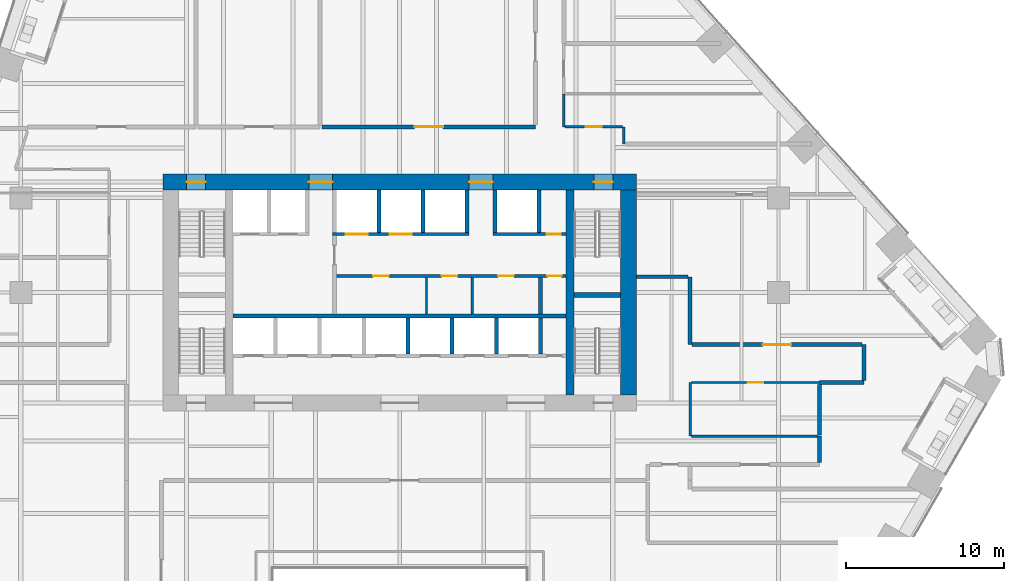
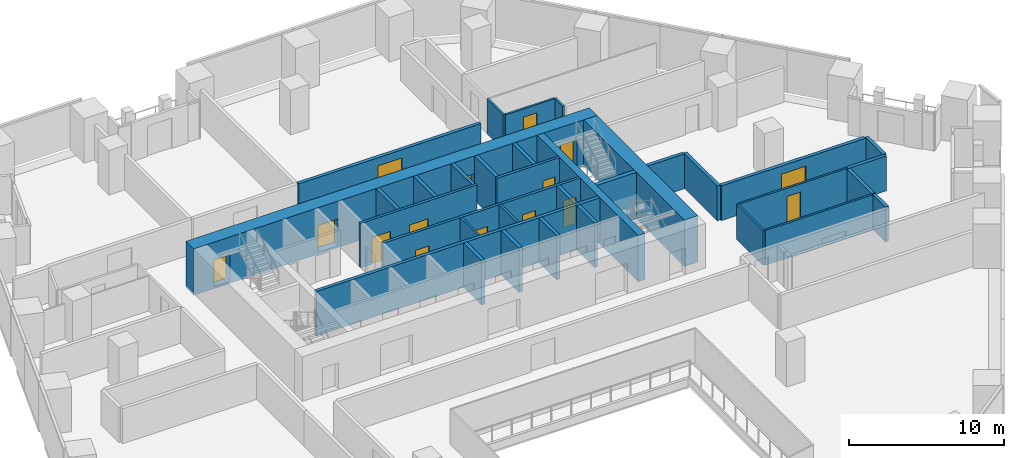
# One storey, part 22 of 28: 34 walls, 15 doors, 15 openings.
"""IFC4 building model written with IfcOpenShell, lengths in metres."""

from ifc_helpers import new_model, si_unit, direction, frame, frame_2d, origin, place, context, subcontext, project, spatial, rectangle, extrude, material, layer, layer_set, type_object, element, fill, save


model = new_model("IFC4")

# Units and contexts
model_context = context("Model", 3, precision=1e-05, world=origin(), true_north=direction((0.0, 1.0)))
body_context = subcontext(model_context, "Body", "Model", "MODEL_VIEW")
ifc_project = project(units=[si_unit("LENGTHUNIT", "METRE"), si_unit("AREAUNIT", "SQUARE_METRE"), si_unit("VOLUMEUNIT", "CUBIC_METRE"), si_unit("PLANEANGLEUNIT", "RADIAN"), si_unit("MASSUNIT", "GRAM", prefix="KILO")], contexts=[model_context])

# Site, building, storey
site_placement = place(None, origin())
site = spatial("IfcSite", under=ifc_project, at=site_placement, CompositionType="ELEMENT")
building_placement = place(site_placement, origin())
building = spatial("IfcBuilding", under=site, at=building_placement, Name="Isthmus Gate Tower", CompositionType="ELEMENT")
storey_placement = place(building_placement, frame((0.0, 0.0, 68.85009765625)))
storey = spatial("IfcBuildingStorey", under=building, at=storey_placement, Name="L15", CompositionType="ELEMENT", Elevation=68.85009765625)

# Walls
ifc_material_1 = material(Name="Double-leaf acoustic stud wall, fire-rated", Category="gypsum")
ifc_layer_1 = layer(ifc_material_1, 0.25)
ifc_layer_set_1 = layer_set([ifc_layer_1], Name="ACOUSTIC WALL 250 60 MIN")
wall_type_1 = type_object("IfcWallType", Name="ACOUSTIC WALL 250 60 MIN", PredefinedType="PARTITIONING", material=ifc_layer_set_1)
wall_1_placement = place(storey_placement, frame((18.39990234375, 8.5, 0.0), z_axis=(0.0, 0.0, 1.0), x_axis=(0.0, -1.0, 0.0)))
element("IfcWall", 1, at=wall_1_placement, inside=storey, type_object=wall_type_1, Name="L15 Acoustic Wall 250 60 Min", PredefinedType="PARTITIONING", context=body_context, shape_type="SweptSolid", body=[
    extrude(rectangle(XDim=4.300048828125, YDim=0.25, at=frame_2d((2.14990234375, 0.0))), origin(), (0.0, 0.0, 1.0), 2.7412109375),
])
wall_2_placement = place(storey_placement, frame((26.590087890625, -1.60009765625, 0.0), z_axis=(0.0, 0.0, 1.0), x_axis=(0.0, -1.0, 0.0)))
element("IfcWall", 2, at=wall_2_placement, inside=storey, type_object=wall_type_1, Name="L15 Acoustic Wall 250 60 Min", PredefinedType="PARTITIONING", context=body_context, shape_type="SweptSolid", body=[
    extrude(rectangle(XDim=1.6748046875, YDim=0.25, at=frame_2d((0.83740234375, 0.0))), origin(), (0.0, 0.0, 1.0), 2.7412109375),
])
wall_3_placement = place(storey_placement, frame((29.39990234375, 1.800048828125, 0.0), z_axis=(0.0, 0.0, 1.0), x_axis=(-1.0, 0.0, 0.0)))
element("IfcWall", 3, at=wall_3_placement, inside=storey, type_object=wall_type_1, Name="L15 Acoustic Wall 250 60 Min", PredefinedType="PARTITIONING", context=body_context, shape_type="SweptSolid", body=[
    extrude(rectangle(XDim=2.807861328125, YDim=0.25, at=frame_2d((1.40380859375, 0.0))), origin(), (0.0, 0.0, 1.0), 2.7412109375),
])
wall_4_placement = place(storey_placement, frame((29.39990234375, 4.199951171875, 0.0), z_axis=(0.0, 0.0, 1.0), x_axis=(0.0, -1.0, 0.0)))
element("IfcWall", 4, at=wall_4_placement, inside=storey, type_object=wall_type_1, Name="L15 Acoustic Wall 250 60 Min", PredefinedType="PARTITIONING", context=body_context, shape_type="SweptSolid", body=[
    extrude(rectangle(XDim=2.27490234375, YDim=0.25, at=frame_2d((1.137451171875, 0.0))), origin(), (0.0, 0.0, 1.0), 2.7412109375),
])

# Wall, opening, door
wall_5_placement = place(storey_placement, frame((-4.912109375, 18.0, 0.0), z_axis=(0.0, 0.0, 1.0), x_axis=(1.0, 0.0, 0.0)))
wall_5 = element("IfcWall", 5, at=wall_5_placement, inside=storey, type_object=wall_type_1, Name="L15 Acoustic Wall 250 60 Min", PredefinedType="PARTITIONING", context=body_context, shape_type="SweptSolid", body=[
    extrude(rectangle(XDim=13.51220703125, YDim=0.25, at=frame_2d((6.756103515625, 0.0))), origin(), (0.0, 0.0, 1.0), 2.7412109375),
])
opening_1_placement = place(wall_5_placement, frame((5.85595703125, 0.0, 0.0)))
opening_1 = element("IfcOpeningElement", 6, at=opening_1_placement, cuts=wall_5, Name="Opening DT-T1D-03", PredefinedType="OPENING", context=body_context, shape_type="SweptSolid", body=[
    extrude(rectangle(XDim=1.800048828125, YDim=2.10009765625, at=frame_2d((0.89990234375, 1.050048828125))), frame((0.0, 0.135009765625, 0.0), z_axis=(0.0, -1.0, 0.0), x_axis=(1.0, 0.0, 0.0)), (0.0, 0.0, 1.0), 0.27001953125),
])
ifc_material_2 = material(Name="Solid core timber door leaf, fire-rated", Category="wood")
door_type_1 = type_object("IfcDoorType", Name="FIRE DOOR ACOUSTIC ROOM 1800 X 2100 60 MIN", OperationType="DOUBLE_DOOR_DOUBLE_SWING", PredefinedType="DOOR", material=ifc_material_2)
door_1_placement = place(opening_1_placement, origin())
door_1 = element("IfcDoor", 7, at=door_1_placement, inside=storey, type_object=door_type_1, Name="L15 room door", OperationType="DOUBLE_DOOR_DOUBLE_SWING", OverallHeight=2.10009765625, OverallWidth=1.800048828125, PredefinedType="DOOR", context=body_context, shape_type="SweptSolid", body=[
    extrude(rectangle(XDim=1.800048828125, YDim=2.10009765625, at=frame_2d((0.89990234375, 1.050048828125))), frame((0.0, 0.02490234375, 0.0), z_axis=(0.0, -1.0, 0.0), x_axis=(1.0, 0.0, 0.0)), (0.0, 0.0, 1.0), 0.050048828125),
])
fill(opening_1, door_1)

# Wall
wall_6_placement = place(storey_placement, frame((15.0, 8.5, 0.0), z_axis=(0.0, 0.0, 1.0), x_axis=(1.0, 0.0, 0.0)))
element("IfcWall", 8, at=wall_6_placement, inside=storey, type_object=wall_type_1, Name="L15 Acoustic Wall 250 60 Min", PredefinedType="PARTITIONING", context=body_context, shape_type="SweptSolid", body=[
    extrude(rectangle(XDim=3.27490234375, YDim=0.25, at=frame_2d((1.637451171875, 0.0))), origin(), (0.0, 0.0, 1.0), 2.7412109375),
])

# Wall, opening, door
wall_7_placement = place(storey_placement, frame((18.52490234375, 4.199951171875, 0.0), z_axis=(0.0, 0.0, 1.0), x_axis=(1.0, 0.0, 0.0)))
wall_7 = element("IfcWall", 9, at=wall_7_placement, inside=storey, type_object=wall_type_1, Name="L15 Acoustic Wall 250 60 Min", PredefinedType="PARTITIONING", context=body_context, shape_type="SweptSolid", body=[
    extrude(rectangle(XDim=10.75, YDim=0.25, at=frame_2d((5.375, 0.0))), origin(), (0.0, 0.0, 1.0), 2.7412109375),
])
opening_2_placement = place(wall_7_placement, frame((4.47509765625, 0.0, 0.0)))
opening_2 = element("IfcOpeningElement", 10, at=opening_2_placement, cuts=wall_7, Name="Opening DT-T1D-10", PredefinedType="OPENING", context=body_context, shape_type="SweptSolid", body=[
    extrude(rectangle(XDim=1.800048828125, YDim=2.10009765625, at=frame_2d((0.89990234375, 1.050048828125))), frame((0.0, 0.135009765625, 0.0), z_axis=(0.0, -1.0, 0.0), x_axis=(1.0, 0.0, 0.0)), (0.0, 0.0, 1.0), 0.27001953125),
])
door_2_placement = place(opening_2_placement, origin())
door_2 = element("IfcDoor", 11, at=door_2_placement, inside=storey, type_object=door_type_1, Name="L15 room door", OperationType="DOUBLE_DOOR_DOUBLE_SWING", OverallHeight=2.10009765625, OverallWidth=1.800048828125, PredefinedType="DOOR", context=body_context, shape_type="SweptSolid", body=[
    extrude(rectangle(XDim=1.800048828125, YDim=2.10009765625, at=frame_2d((0.89990234375, 1.050048828125))), frame((0.0, 0.02490234375, 0.0), z_axis=(0.0, -1.0, 0.0), x_axis=(1.0, 0.0, 0.0)), (0.0, 0.0, 1.0), 0.050048828125),
])
fill(opening_2, door_2)

# Walls
wall_8_placement = place(storey_placement, frame((26.590087890625, -1.52490234375, 0.0), z_axis=(0.0, 0.0, 1.0), x_axis=(0.00053406569, 0.999999857387, 0.0)))
element("IfcWall", 12, at=wall_8_placement, inside=storey, type_object=wall_type_1, Name="L15 Acoustic Wall 250 60 Min", PredefinedType="PARTITIONING", context=body_context, shape_type="SweptSolid", body=[
    extrude(rectangle(XDim=3.199951171875, YDim=0.25, at=frame_2d((1.60009765625, 0.0))), origin(), (0.0, 0.0, 1.0), 2.7412109375),
])
ifc_material_3 = material(Name="Gypsum board on steel studs, fire-rated", Category="steel")
ifc_layer_2 = layer(ifc_material_3, 0.14990234375)
ifc_layer_set_2 = layer_set([ifc_layer_2], Name="CORRIDOR WALL 150 60 MIN")
wall_type_2 = type_object("IfcWallType", Name="CORRIDOR WALL 150 60 MIN", PredefinedType="PARTITIONING", material=ifc_layer_set_2)
wall_9_placement = place(storey_placement, frame((10.39990234375, 20.092041015625, 0.0), z_axis=(0.0, 0.0, 1.0), x_axis=(0.0, -1.0, 0.0)))
element("IfcWall", 13, at=wall_9_placement, inside=storey, type_object=wall_type_2, Name="L15 Corridor Wall 150 60 Min", PredefinedType="PARTITIONING", context=body_context, shape_type="SweptSolid", body=[
    extrude(rectangle(XDim=2.092041015625, YDim=0.14990234375, at=frame_2d((1.0458984375, 0.0))), origin(), (0.0, 0.0, 1.0), 2.7412109375),
])
wall_10_placement = place(storey_placement, frame((14.199951171875, 18.0, 0.0), z_axis=(0.0, 0.0, 1.0), x_axis=(0.0, -1.0, 0.0)))
element("IfcWall", 14, at=wall_10_placement, inside=storey, type_object=wall_type_2, Name="L15 Corridor Wall 150 60 Min", PredefinedType="PARTITIONING", context=body_context, shape_type="SweptSolid", body=[
    extrude(rectangle(XDim=1.10009765625, YDim=0.14990234375, at=frame_2d((0.550048828125, 0.0))), origin(), (0.0, 0.0, 1.0), 2.7412109375),
])
wall_11_placement = place(storey_placement, frame((18.39990234375, 1.800048828125, 0.0), z_axis=(0.0, 0.0, 1.0), x_axis=(0.0, -1.0, 0.0)))
element("IfcWall", 15, at=wall_11_placement, inside=storey, type_object=wall_type_2, Name="L15 Corridor Wall 150 60 Min", PredefinedType="PARTITIONING", context=body_context, shape_type="SweptSolid", body=[
    extrude(rectangle(XDim=3.400146484375, YDim=0.14990234375, at=frame_2d((1.7001953125, 0.0))), origin(), (0.0, 0.0, 1.0), 2.7412109375),
])

# Wall, opening, door
wall_12_placement = place(storey_placement, frame((26.592041015625, 1.800048828125, 0.0), z_axis=(0.0, 0.0, 1.0), x_axis=(-1.0, 0.0, 0.0)))
wall_12 = element("IfcWall", 16, at=wall_12_placement, inside=storey, type_object=wall_type_2, Name="L15 Corridor Wall 150 60 Min", PredefinedType="PARTITIONING", context=body_context, shape_type="SweptSolid", body=[
    extrude(rectangle(XDim=8.116943359375, YDim=0.14990234375, at=frame_2d((4.05859375, 0.0))), origin(), (0.0, 0.0, 1.0), 2.7412109375),
])
opening_3_placement = place(wall_12_placement, frame((3.55859375, 0.0, 0.0)))
opening_3 = element("IfcOpeningElement", 17, at=opening_3_placement, cuts=wall_12, Name="Opening DT-T1D-12", PredefinedType="OPENING", context=body_context, shape_type="SweptSolid", body=[
    extrude(rectangle(XDim=1.0, YDim=2.10009765625, at=frame_2d((0.5, 1.050048828125))), frame((0.0, 0.0849609375, 0.0), z_axis=(0.0, -1.0, 0.0), x_axis=(1.0, 0.0, 0.0)), (0.0, 0.0, 1.0), 0.169921875),
])
ifc_material_4 = material(Name="Solid core timber door leaf, fire-rated", Category="wood")
door_type_2 = type_object("IfcDoorType", Name="FIRE DOOR ROOM 1000 X 2100 60 MIN", OperationType="SINGLE_SWING_LEFT", PredefinedType="DOOR", material=ifc_material_4)
door_3_placement = place(opening_3_placement, origin())
door_3 = element("IfcDoor", 18, at=door_3_placement, inside=storey, type_object=door_type_2, Name="L15 room door", OperationType="SINGLE_SWING_RIGHT", OverallHeight=2.10009765625, OverallWidth=1.0, PredefinedType="DOOR", context=body_context, shape_type="SweptSolid", body=[
    extrude(rectangle(XDim=1.0, YDim=2.10009765625, at=frame_2d((0.5, 1.050048828125))), frame((0.0, 0.02490234375, 0.0), z_axis=(0.0, -1.0, 0.0), x_axis=(1.0, 0.0, 0.0)), (0.0, 0.0, 1.0), 0.050048828125),
])
fill(opening_3, door_3)

wall_13_placement = place(storey_placement, frame((10.47509765625, 18.0, 0.0), z_axis=(0.0, 0.0, 1.0), x_axis=(1.0, 0.0, 0.0)))
wall_13 = element("IfcWall", 19, at=wall_13_placement, inside=storey, type_object=wall_type_2, Name="L15 Corridor Wall 150 60 Min", PredefinedType="PARTITIONING", context=body_context, shape_type="SweptSolid", body=[
    extrude(rectangle(XDim=3.64990234375, YDim=0.14990234375, at=frame_2d((1.824951171875, 0.0))), origin(), (0.0, 0.0, 1.0), 2.7412109375),
])
opening_4_placement = place(wall_13_placement, frame((1.324951171875, 0.0, 0.0)))
opening_4 = element("IfcOpeningElement", 20, at=opening_4_placement, cuts=wall_13, Name="Opening DT-T1D-07", PredefinedType="OPENING", context=body_context, shape_type="SweptSolid", body=[
    extrude(rectangle(XDim=1.0, YDim=2.10009765625, at=frame_2d((0.5, 1.050048828125))), frame((0.0, 0.0849609375, 0.0), z_axis=(0.0, -1.0, 0.0), x_axis=(1.0, 0.0, 0.0)), (0.0, 0.0, 1.0), 0.169921875),
])
door_4_placement = place(opening_4_placement, origin())
door_4 = element("IfcDoor", 21, at=door_4_placement, inside=storey, type_object=door_type_2, Name="L15 room door", OperationType="SINGLE_SWING_RIGHT", OverallHeight=2.10009765625, OverallWidth=1.0, PredefinedType="DOOR", context=body_context, shape_type="SweptSolid", body=[
    extrude(rectangle(XDim=1.0, YDim=2.10009765625, at=frame_2d((0.5, 1.050048828125))), frame((0.0, 0.02490234375, 0.0), z_axis=(0.0, -1.0, 0.0), x_axis=(1.0, 0.0, 0.0)), (0.0, 0.0, 1.0), 0.050048828125),
])
fill(opening_4, door_4)

# Walls
wall_14_placement = place(storey_placement, frame((18.47509765625, -1.60009765625, 0.0), z_axis=(0.0, 0.0, 1.0), x_axis=(1.0, 0.0, 0.0)))
element("IfcWall", 22, at=wall_14_placement, inside=storey, type_object=wall_type_2, Name="L15 Corridor Wall 150 60 Min", PredefinedType="PARTITIONING", context=body_context, shape_type="SweptSolid", body=[
    extrude(rectangle(XDim=7.989990234375, YDim=0.14990234375, at=frame_2d((3.9951171875, 0.0))), origin(), (0.0, 0.0, 1.0), 2.7412109375),
])
ifc_material_5 = material(Name="Concrete f'c 70 MPa", Category="concrete")
ifc_layer_3 = layer(ifc_material_5, 0.5)
ifc_layer_set_3 = layer_set([ifc_layer_3], Name="RC CORE SPINE WALL 500 F'C 70")
wall_type_3 = type_object("IfcWallType", Name="RC CORE SPINE WALL 500 F'C 70", PredefinedType="SOLIDWALL", material=ifc_layer_set_3)
wall_15_placement = place(storey_placement, frame((10.800048828125, 1.0, -0.150146484375), z_axis=(0.0, 0.0, 1.0), x_axis=(0.0, 1.0, 0.0)))
element("IfcWall", 23, at=wall_15_placement, inside=storey, type_object=wall_type_3, Name="str-corewall-L15-SPE", PredefinedType="SOLIDWALL", context=body_context, shape_type="SweptSolid", body=[
    extrude(rectangle(XDim=13.0, YDim=0.5, at=frame_2d((6.5, 0.0))), origin(), (0.0, 0.0, 1.0), 3.650146484375),
])

# Wall, openings, doors
ifc_material_6 = material(Name="Concrete f'c 70 MPa", Category="concrete")
ifc_layer_4 = layer(ifc_material_6, 1.0)
ifc_layer_set_4 = layer_set([ifc_layer_4], Name="RC CORE WALL 1000 F'C 70")
wall_type_4 = type_object("IfcWallType", Name="RC CORE WALL 1000 F'C 70", PredefinedType="SOLIDWALL", material=ifc_layer_set_4)
wall_16_placement = place(storey_placement, frame((-15.0, 14.5, -0.150146484375), z_axis=(0.0, 0.0, 1.0), x_axis=(1.0, 0.0, 0.0)))
wall_16 = element("IfcWall", 24, at=wall_16_placement, inside=storey, type_object=wall_type_4, Name="str-corewall-L15-N", PredefinedType="SOLIDWALL", context=body_context, shape_type="SweptSolid", body=[
    extrude(rectangle(XDim=30.0, YDim=1.0, at=frame_2d((15.0, 0.0))), origin(), (0.0, 0.0, 1.0), 3.650146484375),
])
opening_5_placement = place(wall_16_placement, frame((9.25, 0.0, 0.14990234375)))
opening_5 = element("IfcOpeningElement", 25, at=opening_5_placement, cuts=wall_16, Name="Opening DC-A04-11", PredefinedType="OPENING", context=body_context, shape_type="SweptSolid", body=[
    extrude(rectangle(XDim=1.5, YDim=2.10009765625, at=frame_2d((0.75, 1.050048828125))), frame((0.0, 0.510009765625, 0.0), z_axis=(0.0, -1.0, 0.0), x_axis=(1.0, 0.0, 0.0)), (0.0, 0.0, 1.0), 1.02001953125),
])
opening_6_placement = place(wall_16_placement, frame((19.39990234375, 0.0, 0.14990234375)))
opening_6 = element("IfcOpeningElement", 26, at=opening_6_placement, cuts=wall_16, Name="Opening DC-A04-12", PredefinedType="OPENING", context=body_context, shape_type="SweptSolid", body=[
    extrude(rectangle(XDim=1.5, YDim=2.10009765625, at=frame_2d((0.75, 1.050048828125))), frame((0.0, 0.510009765625, 0.0), z_axis=(0.0, -1.0, 0.0), x_axis=(1.0, 0.0, 0.0)), (0.0, 0.0, 1.0), 1.02001953125),
])
opening_7_placement = place(wall_16_placement, frame((1.5, 0.0, 0.14990234375)))
opening_7 = element("IfcOpeningElement", 27, at=opening_7_placement, cuts=wall_16, Name="Opening DC-A04-13", PredefinedType="OPENING", context=body_context, shape_type="SweptSolid", body=[
    extrude(rectangle(XDim=1.199951171875, YDim=2.10009765625, at=frame_2d((0.60009765625, 1.050048828125))), frame((0.0, 0.510009765625, 0.0), z_axis=(0.0, -1.0, 0.0), x_axis=(1.0, 0.0, 0.0)), (0.0, 0.0, 1.0), 1.02001953125),
])
opening_8_placement = place(wall_16_placement, frame((27.300048828125, 0.0, 0.14990234375)))
opening_8 = element("IfcOpeningElement", 28, at=opening_8_placement, cuts=wall_16, Name="Opening DC-A04-14", PredefinedType="OPENING", context=body_context, shape_type="SweptSolid", body=[
    extrude(rectangle(XDim=1.199951171875, YDim=2.10009765625, at=frame_2d((0.60009765625, 1.050048828125))), frame((0.0, 0.510009765625, 0.0), z_axis=(0.0, -1.0, 0.0), x_axis=(1.0, 0.0, 0.0)), (0.0, 0.0, 1.0), 1.02001953125),
])
ifc_material_7 = material(Name="Steel door leaf, fire-rated", Category="steel")
door_type_3 = type_object("IfcDoorType", Name="LOBBY FIRE DOOR 1500 X 2100 60 MIN", OperationType="DOUBLE_DOOR_SINGLE_SWING", PredefinedType="DOOR", material=ifc_material_7)
door_5_placement = place(opening_6_placement, origin())
door_5 = element("IfcDoor", 29, at=door_5_placement, inside=storey, type_object=door_type_3, Name="Lobby Door PN-E", OperationType="DOUBLE_DOOR_SINGLE_SWING", OverallHeight=2.10009765625, OverallWidth=1.5, PredefinedType="DOOR", context=body_context, shape_type="SweptSolid", body=[
    extrude(rectangle(XDim=1.5, YDim=2.10009765625, at=frame_2d((0.75, 1.050048828125))), frame((0.0, 0.02490234375, 0.0), z_axis=(0.0, -1.0, 0.0), x_axis=(1.0, 0.0, 0.0)), (0.0, 0.0, 1.0), 0.050048828125),
])
fill(opening_6, door_5)
ifc_material_8 = material(Name="Steel door leaf, fire-rated", Category="steel")
door_type_4 = type_object("IfcDoorType", Name="LOBBY FIRE DOOR 1500 X 2100 90 MIN", OperationType="DOUBLE_DOOR_SINGLE_SWING", PredefinedType="DOOR", material=ifc_material_8)
door_6_placement = place(opening_5_placement, origin())
door_6 = element("IfcDoor", 30, at=door_6_placement, inside=storey, type_object=door_type_4, Name="Lobby Door PN-W", OperationType="DOUBLE_DOOR_SINGLE_SWING", OverallHeight=2.10009765625, OverallWidth=1.5, PredefinedType="DOOR", context=body_context, shape_type="SweptSolid", body=[
    extrude(rectangle(XDim=1.5, YDim=2.10009765625, at=frame_2d((0.75, 1.050048828125))), frame((0.0, 0.02490234375, 0.0), z_axis=(0.0, -1.0, 0.0), x_axis=(1.0, 0.0, 0.0)), (0.0, 0.0, 1.0), 0.050048828125),
])
fill(opening_5, door_6)
ifc_material_9 = material(Name="Steel door leaf, fire-rated", Category="steel")
door_type_5 = type_object("IfcDoorType", Name="STAIR FIRE DOOR 1200 X 2100 90 MIN", OperationType="SINGLE_SWING_LEFT", PredefinedType="DOOR", material=ifc_material_9)
door_7_placement = place(opening_7_placement, origin())
door_7 = element("IfcDoor", 31, at=door_7_placement, inside=storey, type_object=door_type_5, Name="Exit Stair 1 Door", OperationType="SINGLE_SWING_RIGHT", OverallHeight=2.10009765625, OverallWidth=1.199951171875, PredefinedType="DOOR", context=body_context, shape_type="SweptSolid", body=[
    extrude(rectangle(XDim=1.199951171875, YDim=2.10009765625, at=frame_2d((0.60009765625, 1.050048828125))), frame((0.0, 0.02490234375, 0.0), z_axis=(0.0, -1.0, 0.0), x_axis=(1.0, 0.0, 0.0)), (0.0, 0.0, 1.0), 0.050048828125),
])
fill(opening_7, door_7)
door_8_placement = place(opening_8_placement, origin())
door_8 = element("IfcDoor", 32, at=door_8_placement, inside=storey, type_object=door_type_5, Name="Exit Stair 2 Door", OperationType="SINGLE_SWING_LEFT", OverallHeight=2.10009765625, OverallWidth=1.199951171875, PredefinedType="DOOR", context=body_context, shape_type="SweptSolid", body=[
    extrude(rectangle(XDim=1.199951171875, YDim=2.10009765625, at=frame_2d((0.60009765625, 1.050048828125))), frame((0.0, 0.02490234375, 0.0), z_axis=(0.0, -1.0, 0.0), x_axis=(1.0, 0.0, 0.0)), (0.0, 0.0, 1.0), 0.050048828125),
])
fill(opening_8, door_8)

# Walls
wall_17_placement = place(storey_placement, frame((14.5, 1.0, -0.150146484375), z_axis=(0.0, 0.0, 1.0), x_axis=(0.0, 1.0, 0.0)))
element("IfcWall", 33, at=wall_17_placement, inside=storey, type_object=wall_type_4, Name="str-corewall-L15-E", PredefinedType="SOLIDWALL", context=body_context, shape_type="SweptSolid", body=[
    extrude(rectangle(XDim=13.0, YDim=1.0, at=frame_2d((6.5, 0.0))), origin(), (0.0, 0.0, 1.0), 3.650146484375),
])
ifc_material_10 = material(Name="Gypsum board on steel studs, fire-rated", Category="steel")
ifc_layer_5 = layer(ifc_material_10, 0.14990234375)
ifc_layer_set_5 = layer_set([ifc_layer_5], Name="ROOM PARTITION 150 60 MIN")
wall_type_5 = type_object("IfcWallType", Name="ROOM PARTITION 150 60 MIN", PredefinedType="PARTITIONING", material=ifc_layer_set_5)
for number, where, z_axis, x_axis, name in (
    (34, (1.699951171875, 6.14990234375, 0.0), (0.0, 0.0, 1.0), (0.0, 1.0, 0.0), "L15 ROOM PARTITION 150 60 MIN"),
    (35, (4.60009765625, 6.14990234375, 0.0), (0.0, 0.0, 1.0), (0.0, 1.0, 0.0), "L15 ROOM PARTITION 150 60 MIN"),
):
    element("IfcWall", number, at=place(storey_placement, frame(where, z_axis=z_axis, x_axis=x_axis)), inside=storey, type_object=wall_type_5, Name=name, PredefinedType="PARTITIONING", context=body_context, shape_type="SweptSolid", body=[
        extrude(rectangle(XDim=2.300048828125, YDim=0.14990234375, at=frame_2d((1.14990234375, 0.0))), origin(), (0.0, 0.0, 1.0), 3.5),
    ])

# Wall, openings, doors
ifc_material_11 = material(Name="Fire-rated blockwork masonry, 15 MPa", Category="masonry")
ifc_layer_6 = layer(ifc_material_11, 0.199951171875)
ifc_layer_set_6 = layer_set([ifc_layer_6], Name="SHAFT FRONT WALL 200 120 MIN")
wall_type_6 = type_object("IfcWallType", Name="SHAFT FRONT WALL 200 120 MIN", PredefinedType="PARTITIONING", material=ifc_layer_set_6)
wall_18_placement = place(storey_placement, frame((-4.125, 8.550048828125, 0.0), z_axis=(0.0, 0.0, 1.0), x_axis=(1.0, 0.0, 0.0)))
wall_18 = element("IfcWall", 36, at=wall_18_placement, inside=storey, type_object=wall_type_6, Name="L15 SHAFT FRONT WALL 200 120 MIN", PredefinedType="PARTITIONING", context=body_context, shape_type="SweptSolid", body=[
    extrude(rectangle(XDim=14.675048828125, YDim=0.199951171875, at=frame_2d((7.33740234375, 0.0))), origin(), (0.0, 0.0, 1.0), 3.5),
])
opening_9_placement = place(wall_18_placement, frame((2.4375, 0.0, 0.0)))
opening_9 = element("IfcOpeningElement", 37, at=opening_9_placement, cuts=wall_18, Name="Opening DC-A04-03", PredefinedType="OPENING", context=body_context, shape_type="SweptSolid", body=[
    extrude(rectangle(XDim=1.0, YDim=2.10009765625, at=frame_2d((0.5, 1.050048828125))), frame((0.0, 0.10986328125, 0.0), z_axis=(0.0, -1.0, 0.0), x_axis=(1.0, 0.0, 0.0)), (0.0, 0.0, 1.0), 0.219970703125),
])
opening_10_placement = place(wall_18_placement, frame((6.77490234375, 0.0, 0.0)))
opening_10 = element("IfcOpeningElement", 38, at=opening_10_placement, cuts=wall_18, Name="Opening DC-A04-04", PredefinedType="OPENING", context=body_context, shape_type="SweptSolid", body=[
    extrude(rectangle(XDim=1.0, YDim=2.10009765625, at=frame_2d((0.5, 1.050048828125))), frame((0.0, 0.10986328125, 0.0), z_axis=(0.0, -1.0, 0.0), x_axis=(1.0, 0.0, 0.0)), (0.0, 0.0, 1.0), 0.219970703125),
])
opening_11_placement = place(wall_18_placement, frame((10.362548828125, 0.0, 0.0)))
opening_11 = element("IfcOpeningElement", 39, at=opening_11_placement, cuts=wall_18, Name="Opening DC-A04-05", PredefinedType="OPENING", context=body_context, shape_type="SweptSolid", body=[
    extrude(rectangle(XDim=1.0, YDim=2.10009765625, at=frame_2d((0.5, 1.050048828125))), frame((0.0, 0.10986328125, 0.0), z_axis=(0.0, -1.0, 0.0), x_axis=(1.0, 0.0, 0.0)), (0.0, 0.0, 1.0), 0.219970703125),
])
opening_12_placement = place(wall_18_placement, frame((13.47509765625, 0.0, 0.0)))
opening_12 = element("IfcOpeningElement", 40, at=opening_12_placement, cuts=wall_18, Name="Opening DC-A04-06", PredefinedType="OPENING", context=body_context, shape_type="SweptSolid", body=[
    extrude(rectangle(XDim=0.89990234375, YDim=2.10009765625, at=frame_2d((0.449951171875, 1.050048828125))), frame((0.0, 0.10986328125, 0.0), z_axis=(0.0, -1.0, 0.0), x_axis=(1.0, 0.0, 0.0)), (0.0, 0.0, 1.0), 0.219970703125),
])
ifc_material_12 = material(Name="Steel door leaf, fire-rated", Category="steel")
door_type_6 = type_object("IfcDoorType", Name="FIRE DOOR 1000 X 2100 60 MIN", OperationType="SINGLE_SWING_LEFT", PredefinedType="DOOR", material=ifc_material_12)
door_9_placement = place(opening_9_placement, origin())
door_9 = element("IfcDoor", 41, at=door_9_placement, inside=storey, type_object=door_type_6, Name="WC Men Door", OperationType="SINGLE_SWING_LEFT", OverallHeight=2.10009765625, OverallWidth=1.0, PredefinedType="DOOR", context=body_context, shape_type="SweptSolid", body=[
    extrude(rectangle(XDim=1.0, YDim=2.10009765625, at=frame_2d((0.5, 1.050048828125))), frame((0.0, 0.02490234375, 0.0), z_axis=(0.0, -1.0, 0.0), x_axis=(1.0, 0.0, 0.0)), (0.0, 0.0, 1.0), 0.050048828125),
])
fill(opening_9, door_9)
door_10_placement = place(opening_10_placement, origin())
door_10 = element("IfcDoor", 42, at=door_10_placement, inside=storey, type_object=door_type_6, Name="Accessible WC Door", OperationType="SINGLE_SWING_RIGHT", OverallHeight=2.10009765625, OverallWidth=1.0, PredefinedType="DOOR", context=body_context, shape_type="SweptSolid", body=[
    extrude(rectangle(XDim=1.0, YDim=2.10009765625, at=frame_2d((0.5, 1.050048828125))), frame((0.0, 0.02490234375, 0.0), z_axis=(0.0, -1.0, 0.0), x_axis=(1.0, 0.0, 0.0)), (0.0, 0.0, 1.0), 0.050048828125),
])
fill(opening_10, door_10)
door_11_placement = place(opening_11_placement, origin())
door_11 = element("IfcDoor", 43, at=door_11_placement, inside=storey, type_object=door_type_6, Name="WC Women Door", OperationType="SINGLE_SWING_LEFT", OverallHeight=2.10009765625, OverallWidth=1.0, PredefinedType="DOOR", context=body_context, shape_type="SweptSolid", body=[
    extrude(rectangle(XDim=1.0, YDim=2.10009765625, at=frame_2d((0.5, 1.050048828125))), frame((0.0, 0.02490234375, 0.0), z_axis=(0.0, -1.0, 0.0), x_axis=(1.0, 0.0, 0.0)), (0.0, 0.0, 1.0), 0.050048828125),
])
fill(opening_11, door_11)
ifc_material_13 = material(Name="Steel door leaf, fire-rated", Category="steel")
door_type_7 = type_object("IfcDoorType", Name="RISER FIRE DOOR 900 X 2100 90 MIN", OperationType="SINGLE_SWING_LEFT", PredefinedType="DOOR", material=ifc_material_13)
door_12_placement = place(opening_12_placement, origin())
door_12 = element("IfcDoor", 44, at=door_12_placement, inside=storey, type_object=door_type_7, Name="Riser Door", OperationType="SINGLE_SWING_RIGHT", OverallHeight=2.10009765625, OverallWidth=0.89990234375, PredefinedType="DOOR", context=body_context, shape_type="SweptSolid", body=[
    extrude(rectangle(XDim=0.89990234375, YDim=2.10009765625, at=frame_2d((0.449951171875, 1.050048828125))), frame((0.0, 0.02490234375, 0.0), z_axis=(0.0, -1.0, 0.0), x_axis=(1.0, 0.0, 0.0)), (0.0, 0.0, 1.0), 0.050048828125),
])
fill(opening_12, door_12)

wall_19_placement = place(storey_placement, frame((-4.25, 11.199951171875, 0.0), z_axis=(0.0, 0.0, 1.0), x_axis=(1.0, 0.0, 0.0)))
wall_19 = element("IfcWall", 45, at=wall_19_placement, inside=storey, type_object=wall_type_6, Name="L15 SHAFT FRONT WALL 200 120 MIN", PredefinedType="PARTITIONING", context=body_context, shape_type="SweptSolid", body=[
    extrude(rectangle(XDim=8.64990234375, YDim=0.199951171875, at=frame_2d((4.324951171875, 0.0))), origin(), (0.0, 0.0, 1.0), 3.5),
])
opening_13_placement = place(wall_19_placement, frame((0.824951171875, 0.0, 0.0)))
opening_13 = element("IfcOpeningElement", 46, at=opening_13_placement, cuts=wall_19, Name="Opening LD-LV1", PredefinedType="OPENING", context=body_context, shape_type="SweptSolid", body=[
    extrude(rectangle(XDim=1.39990234375, YDim=2.10009765625, at=frame_2d((0.699951171875, 1.050048828125))), frame((0.0, 0.10986328125, 0.0), z_axis=(0.0, -1.0, 0.0), x_axis=(1.0, 0.0, 0.0)), (0.0, 0.0, 1.0), 0.219970703125),
])
opening_14_placement = place(wall_19_placement, frame((3.625, 0.0, 0.0)))
opening_14 = element("IfcOpeningElement", 47, at=opening_14_placement, cuts=wall_19, Name="Opening LD-LV2", PredefinedType="OPENING", context=body_context, shape_type="SweptSolid", body=[
    extrude(rectangle(XDim=1.39990234375, YDim=2.10009765625, at=frame_2d((0.699951171875, 1.050048828125))), frame((0.0, 0.10986328125, 0.0), z_axis=(0.0, -1.0, 0.0), x_axis=(1.0, 0.0, 0.0)), (0.0, 0.0, 1.0), 0.219970703125),
])
ifc_material_14 = material(Name="Stainless steel sliding leaf", Category="steel")
door_type_8 = type_object("IfcDoorType", Name="LIFT LANDING FIRE DOOR 1400 X 2100 90 MIN", OperationType="DOUBLE_DOOR_SLIDING", PredefinedType="DOOR", material=ifc_material_14)
door_13_placement = place(opening_13_placement, origin())
door_13 = element("IfcDoor", 48, at=door_13_placement, inside=storey, type_object=door_type_8, Name="Lift Landing Door LV1", OperationType="DOUBLE_DOOR_SLIDING", OverallHeight=2.10009765625, OverallWidth=1.39990234375, PredefinedType="DOOR", context=body_context, shape_type="SweptSolid", body=[
    extrude(rectangle(XDim=1.39990234375, YDim=2.10009765625, at=frame_2d((0.699951171875, 1.050048828125))), frame((0.0, 0.02490234375, 0.0), z_axis=(0.0, -1.0, 0.0), x_axis=(1.0, 0.0, 0.0)), (0.0, 0.0, 1.0), 0.050048828125),
])
fill(opening_13, door_13)
door_14_placement = place(opening_14_placement, origin())
door_14 = element("IfcDoor", 49, at=door_14_placement, inside=storey, type_object=door_type_8, Name="Lift Landing Door LV2", OperationType="DOUBLE_DOOR_SLIDING", OverallHeight=2.10009765625, OverallWidth=1.39990234375, PredefinedType="DOOR", context=body_context, shape_type="SweptSolid", body=[
    extrude(rectangle(XDim=1.39990234375, YDim=2.10009765625, at=frame_2d((0.699951171875, 1.050048828125))), frame((0.0, 0.02490234375, 0.0), z_axis=(0.0, -1.0, 0.0), x_axis=(1.0, 0.0, 0.0)), (0.0, 0.0, 1.0), 0.050048828125),
])
fill(opening_14, door_14)

# Wall, opening, door
wall_20_placement = place(storey_placement, frame((5.89990234375, 11.199951171875, 0.0), z_axis=(0.0, 0.0, 1.0), x_axis=(1.0, 0.0, 0.0)))
wall_20 = element("IfcWall", 50, at=wall_20_placement, inside=storey, type_object=wall_type_6, Name="L15 SHAFT FRONT WALL 200 120 MIN", PredefinedType="PARTITIONING", context=body_context, shape_type="SweptSolid", body=[
    extrude(rectangle(XDim=4.650146484375, YDim=0.199951171875, at=frame_2d((2.3251953125, 0.0))), origin(), (0.0, 0.0, 1.0), 3.5),
])
opening_15_placement = place(wall_20_placement, frame((3.39990234375, 0.0, 0.0)))
opening_15 = element("IfcOpeningElement", 51, at=opening_15_placement, cuts=wall_20, Name="Opening DC-A04-07", PredefinedType="OPENING", context=body_context, shape_type="SweptSolid", body=[
    extrude(rectangle(XDim=0.89990234375, YDim=2.10009765625, at=frame_2d((0.449951171875, 1.050048828125))), frame((0.0, 0.10986328125, 0.0), z_axis=(0.0, -1.0, 0.0), x_axis=(1.0, 0.0, 0.0)), (0.0, 0.0, 1.0), 0.219970703125),
])
door_15_placement = place(opening_15_placement, origin())
door_15 = element("IfcDoor", 52, at=door_15_placement, inside=storey, type_object=door_type_7, Name="Riser Door", OperationType="SINGLE_SWING_LEFT", OverallHeight=2.10009765625, OverallWidth=0.89990234375, PredefinedType="DOOR", context=body_context, shape_type="SweptSolid", body=[
    extrude(rectangle(XDim=0.89990234375, YDim=2.10009765625, at=frame_2d((0.449951171875, 1.050048828125))), frame((0.0, 0.02490234375, 0.0), z_axis=(0.0, -1.0, 0.0), x_axis=(1.0, 0.0, 0.0)), (0.0, 0.0, 1.0), 0.050048828125),
])
fill(opening_15, door_15)

# Walls
ifc_material_15 = material(Name="Fire-rated blockwork masonry, 15 MPa", Category="masonry")
ifc_layer_7 = layer(ifc_material_15, 0.25)
ifc_layer_set_7 = layer_set([ifc_layer_7], Name="SHAFT WALL 250 120 MIN")
wall_type_7 = type_object("IfcWallType", Name="SHAFT WALL 250 120 MIN", PredefinedType="PARTITIONING", material=ifc_layer_set_7)
wall_21_placement = place(storey_placement, frame((-10.550048828125, 6.02490234375, 0.0), z_axis=(0.0, 0.0, 1.0), x_axis=(1.0, 0.0, 0.0)))
element("IfcWall", 53, at=wall_21_placement, inside=storey, type_object=wall_type_7, Name="L15 SHAFT WALL 250 120 MIN", PredefinedType="PARTITIONING", context=body_context, shape_type="SweptSolid", body=[
    extrude(rectangle(XDim=21.10009765625, YDim=0.25, at=frame_2d((10.550048828125, 0.0))), origin(), (0.0, 0.0, 1.0), 3.5),
])
for number, where, z_axis, x_axis, name in (
    (54, (0.52490234375, 3.60009765625, 0.0), (0.0, 0.0, 1.0), (0.0, 1.0, 0.0), "L15 SHAFT WALL 250 120 MIN"),
    (55, (3.324951171875, 3.60009765625, 0.0), (0.0, 0.0, 1.0), (0.0, 1.0, 0.0), "L15 SHAFT WALL 250 120 MIN"),
    (56, (6.125, 3.60009765625, 0.0), (0.0, 0.0, 1.0), (0.0, 1.0, 0.0), "L15 SHAFT WALL 250 120 MIN"),
    (57, (8.925048828125, 3.60009765625, 0.0), (0.0, 0.0, 1.0), (0.0, 1.0, 0.0), "L15 SHAFT WALL 250 120 MIN"),
):
    element("IfcWall", number, at=place(storey_placement, frame(where, z_axis=z_axis, x_axis=x_axis)), inside=storey, type_object=wall_type_7, Name=name, PredefinedType="PARTITIONING", context=body_context, shape_type="SweptSolid", body=[
        extrude(rectangle(XDim=2.2998046875, YDim=0.25, at=frame_2d((1.14990234375, 0.0))), origin(), (0.0, 0.0, 1.0), 3.5),
    ])
wall_22_placement = place(storey_placement, frame((8.925048828125, 6.14990234375, 0.0), z_axis=(0.0, 0.0, 1.0), x_axis=(0.0, 1.0, 0.0)))
element("IfcWall", 58, at=wall_22_placement, inside=storey, type_object=wall_type_7, Name="L15 SHAFT WALL 250 120 MIN", PredefinedType="PARTITIONING", context=body_context, shape_type="SweptSolid", body=[
    extrude(rectangle(XDim=2.300048828125, YDim=0.25, at=frame_2d((1.14990234375, 0.0))), origin(), (0.0, 0.0, 1.0), 3.5),
])
for number, where, z_axis, x_axis, name in (
    (59, (-1.324951171875, 11.300048828125, 0.0), (0.0, 0.0, 1.0), (0.0, 1.0, 0.0), "L15 SHAFT WALL 250 120 MIN"),
    (60, (1.47509765625, 11.300048828125, 0.0), (0.0, 0.0, 1.0), (0.0, 1.0, 0.0), "L15 SHAFT WALL 250 120 MIN"),
    (61, (4.27490234375, 11.300048828125, 0.0), (0.0, 0.0, 1.0), (0.0, 1.0, 0.0), "L15 SHAFT WALL 250 120 MIN"),
    (62, (6.02490234375, 11.300048828125, 0.0), (0.0, 0.0, 1.0), (0.0, 1.0, 0.0), "L15 SHAFT WALL 250 120 MIN"),
    (63, (8.824951171875, 11.300048828125, 0.0), (0.0, 0.0, 1.0), (0.0, 1.0, 0.0), "L15 SHAFT WALL 250 120 MIN"),
):
    element("IfcWall", number, at=place(storey_placement, frame(where, z_axis=z_axis, x_axis=x_axis)), inside=storey, type_object=wall_type_7, Name=name, PredefinedType="PARTITIONING", context=body_context, shape_type="SweptSolid", body=[
        extrude(rectangle(XDim=2.699951171875, YDim=0.25, at=frame_2d((1.35009765625, 0.0))), origin(), (0.0, 0.0, 1.0), 3.5),
    ])
ifc_material_16 = material(Name="Concrete f'c 40 MPa", Category="concrete")
ifc_layer_8 = layer(ifc_material_16, 0.300048828125)
ifc_layer_set_8 = layer_set([ifc_layer_8], Name="STAIR ENCLOSURE WALL 300 180 MIN")
wall_type_8 = type_object("IfcWallType", Name="STAIR ENCLOSURE WALL 300 180 MIN", PredefinedType="SOLIDWALL", material=ifc_layer_set_8)
wall_23_placement = place(storey_placement, frame((11.050048828125, 7.35009765625, -0.150146484375), z_axis=(0.0, 0.0, 1.0), x_axis=(1.0, 0.0, 0.0)))
element("IfcWall", 64, at=wall_23_placement, inside=storey, type_object=wall_type_8, Name="L15 STAIR ENCLOSURE WALL 300 180 MIN", PredefinedType="SOLIDWALL", context=body_context, shape_type="SweptSolid", body=[
    extrude(rectangle(XDim=2.949951171875, YDim=0.300048828125, at=frame_2d((1.47509765625, 0.0))), origin(), (0.0, 0.0, 1.0), 3.650146484375),
])

save(model, "model.ifc")
